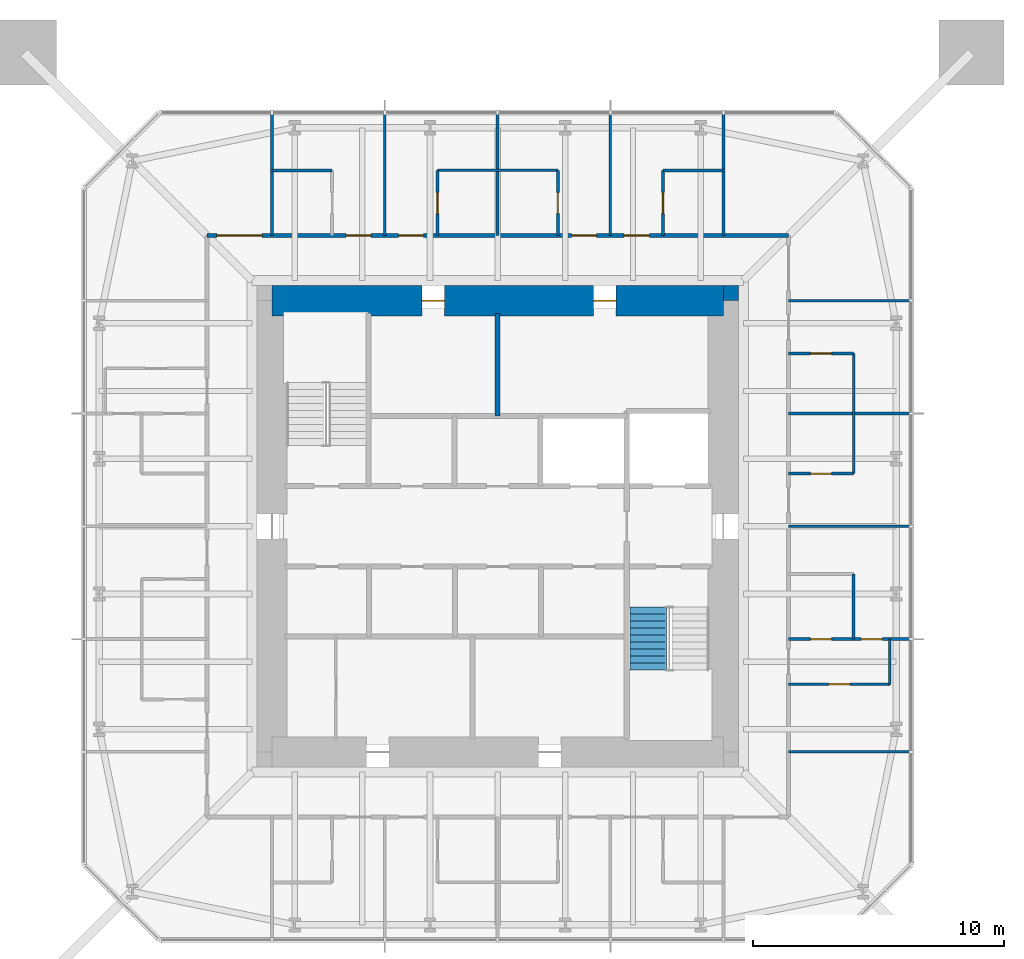
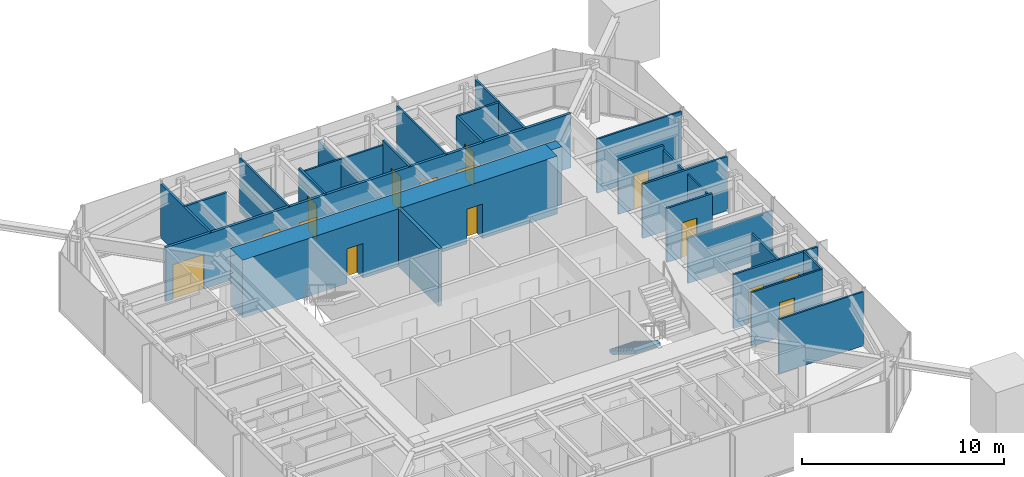
# One storey, part 8 of 10: 26 walls, 15 doors, 1 stair flight, 15 openings, 1 element without a shape of its own.
"""IFC4 building model written with IfcOpenShell, lengths in metres."""

import ifcopenshell
import ifcopenshell.guid

model = None  # the IFC model being written
_history = None  # IfcOwnerHistory: only IFC2X3 demands one
_inside = {}  # id of a spatial element -> (the spatial element, [elements in it])
_under = {}  # id of a project, library or spatial element -> (it, [spatial elements below it])
_declared = {}  # id of a project -> (the project, [libraries it declares])
_typed = {}  # id of a type object -> (the type object, [elements of that type])
_made_of = {}  # id of a material, layer set ... -> (it, [elements and type objects made of it])


def new_model(schema):
    """Start an empty IFC model of exactly this schema.

    Asked for "IFC4X3", IfcOpenShell would pick the latest addendum, in which some entities
    have other attributes; the version numbers below select the first issue.
    IFC2X3 requires an IfcOwnerHistory on every rooted entity: one is made here for all.
    """
    global model, _history
    if schema == "IFC4X3":
        model = ifcopenshell.file(schema_version=(4, 3, 0, 0))
    else:
        model = ifcopenshell.file(schema=schema)
    _inside.clear()
    _under.clear()
    _declared.clear()
    _typed.clear()
    _made_of.clear()
    _history = None
    if model.schema == "IFC2X3":
        org = make("IfcOrganization", Name="unknown")
        user = make(
            "IfcPersonAndOrganization",
            ThePerson=make("IfcPerson", FamilyName="unknown"),
            TheOrganization=org,
        )
        app = make(
            "IfcApplication",
            ApplicationDeveloper=org,
            Version="unknown",
            ApplicationFullName="unknown",
            ApplicationIdentifier="unknown",
        )
        _history = make(
            "IfcOwnerHistory",
            OwningUser=user,
            OwningApplication=app,
            ChangeAction="ADDED",
            CreationDate=0,
        )
    return model


def make(cls, **values):
    """One entity of the class cls with the attributes given. An attribute that is None is left unset."""
    return model.create_entity(
        cls, **{name: value for name, value in values.items() if value is not None}
    )


def rooted(cls, **values):
    """An entity with a GlobalId (a new one), such as an element, a storey or a relation."""
    return make(cls, GlobalId=ifcopenshell.guid.new(), OwnerHistory=_history, **values)


def si_unit(unit_type, name, prefix=None):
    """IfcSIUnit, for example si_unit("LENGTHUNIT", "METRE", prefix="MILLI")."""
    return make("IfcSIUnit", UnitType=unit_type, Prefix=prefix, Name=name)


def assignment(units):
    """IfcUnitAssignment: the units of a project."""
    return None if units is None else make("IfcUnitAssignment", Units=units)


def point(xyz):
    """IfcCartesianPoint."""
    return None if xyz is None else make("IfcCartesianPoint", Coordinates=xyz)


def direction(xyz):
    """IfcDirection."""
    return None if xyz is None else make("IfcDirection", DirectionRatios=xyz)


def frame(location, z_axis=None, x_axis=None):
    """IfcAxis2Placement3D, a coordinate frame: its origin and axes. An axis left out is left unset."""
    return make(
        "IfcAxis2Placement3D",
        Location=point(location),
        Axis=direction(z_axis),
        RefDirection=direction(x_axis),
    )


def frame_2d(location, x_axis=None):
    """IfcAxis2Placement2D, a coordinate frame in the plane: its origin and x axis."""
    return make(
        "IfcAxis2Placement2D", Location=point(location), RefDirection=direction(x_axis)
    )


def origin():
    """The frame at (0, 0, 0) with its axes left unset."""
    return frame((0.0, 0.0, 0.0))


def place(relative_to, where):
    """IfcLocalPlacement: puts the frame where relative to a parent placement (None: the world)."""
    return make(
        "IfcLocalPlacement", PlacementRelTo=relative_to, RelativePlacement=where
    )


def context(
    kind, dimensions, precision=None, world=None, true_north=None, identifier=None
):
    """IfcGeometricRepresentationContext, for example the 3D "Model" context."""
    return make(
        "IfcGeometricRepresentationContext",
        ContextIdentifier=identifier,
        ContextType=kind,
        CoordinateSpaceDimension=dimensions,
        Precision=precision,
        WorldCoordinateSystem=world,
        TrueNorth=true_north,
    )


def subcontext(parent, identifier, kind, view, scale=None):
    """IfcGeometricRepresentationSubContext, for example "Body" below "Model"."""
    return make(
        "IfcGeometricRepresentationSubContext",
        ContextIdentifier=identifier,
        ContextType=kind,
        ParentContext=parent,
        TargetScale=scale,
        TargetView=view,
    )


def project(units=None, contexts=None):
    """IfcProject with its units and contexts."""
    return rooted(
        "IfcProject",
        Name="project",
        RepresentationContexts=contexts,
        UnitsInContext=assignment(units),
    )


def spatial(cls, under=None, at=None, **own):
    """A site, building, storey or space (cls), placed at a placement, below another one or the project."""
    s = rooted(cls, ObjectPlacement=at, **own)
    if under is not None:
        _under.setdefault(under.id(), (under, []))[1].append(s)
    return s


def polyline(points):
    """IfcPolyline through the points."""
    return make("IfcPolyline", Points=[point(p) for p in points])


def profile(cls, at=None, kind="AREA", **sizes):
    """A parametric profile (cls). Its sizes go by their IFC names, for example OverallWidth=200.0."""
    return make(cls, ProfileType=kind, Position=at, **sizes)


def rectangle(**sizes):
    """IfcRectangleProfileDef."""
    return profile("IfcRectangleProfileDef", **sizes)


def outline(outer, holes=None, kind="AREA"):
    """IfcArbitraryClosedProfileDef: a profile drawn as a closed curve; with holes, ...WithVoids."""
    if holes is None:
        return make("IfcArbitraryClosedProfileDef", ProfileType=kind, OuterCurve=outer)
    return make(
        "IfcArbitraryProfileDefWithVoids",
        ProfileType=kind,
        OuterCurve=outer,
        InnerCurves=holes,
    )


def extrude(swept, where, along, depth):
    """IfcExtrudedAreaSolid: the profile swept, set in the frame where, extruded along a direction by depth."""
    return make(
        "IfcExtrudedAreaSolid",
        SweptArea=swept,
        Position=where,
        ExtrudedDirection=direction(along),
        Depth=depth,
    )


def shape(context_of_items, identifier, shape_type, items):
    """IfcShapeRepresentation: the items that make up one representation, for example the "Body"."""
    return make(
        "IfcShapeRepresentation",
        ContextOfItems=context_of_items,
        RepresentationIdentifier=identifier,
        RepresentationType=shape_type,
        Items=items,
    )


def material(Name=None, Category=None):
    """IfcMaterial."""
    return make("IfcMaterial", Name=Name, Category=Category)


def layer(
    of_material, thickness, ventilated=None, Name=None, Category=None, Priority=None
):
    """IfcMaterialLayer: one layer of a wall or slab, of a material (None: an air gap)."""
    return make(
        "IfcMaterialLayer",
        Material=of_material,
        LayerThickness=thickness,
        IsVentilated=ventilated,
        Name=Name,
        Category=Category,
        Priority=Priority,
    )


def layer_set(layers, Name=None):
    """IfcMaterialLayerSet."""
    return make("IfcMaterialLayerSet", MaterialLayers=layers, LayerSetName=Name)


def constituent(of_material, Name=None, Category=None, fraction=None):
    """IfcMaterialConstituent: one of the materials an element consists of."""
    return make(
        "IfcMaterialConstituent",
        Name=Name,
        Material=of_material,
        Fraction=fraction,
        Category=Category,
    )


def constituent_set(constituents=None, Name=None):
    """IfcMaterialConstituentSet."""
    return make(
        "IfcMaterialConstituentSet", Name=Name, MaterialConstituents=constituents
    )


def made_of(thing, what):
    """Note that an element or type object is made of a material, layer set ...; save() writes the relation."""
    if what is not None:
        _made_of.setdefault(what.id(), (what, []))[1].append(thing)
    return thing


def type_object(cls, material=None, **own):
    """A type object (cls), such as IfcWallType, which elements share."""
    return made_of(rooted(cls, **own), material)


def element(
    cls,
    number,
    at=None,
    inside=None,
    cuts=None,
    type_object=None,
    material=None,
    context=None,
    identifier="Body",
    shape_type=None,
    held_by="IfcProductDefinitionShape",
    body=None,
    shapes=None,
    **own,
):
    """One element of the class cls, such as IfcWall. Its Tag is "e" and its number.

    at: its placement. inside: the storey or other place that contains it. cuts: it is an
    opening in that element (IfcRelVoidsElement). A single representation is given by context,
    identifier, shape_type and body (its items); several are given by shapes. held_by: the class
    of the entity that holds the representations. save() writes the other relations.
    """
    e = rooted(cls, Tag="e%d" % number, ObjectPlacement=at, **own)
    if body is not None:
        shapes = [shape(context, identifier, shape_type, body)]
    if shapes is not None:
        e.Representation = make(held_by, Representations=shapes)
    if inside is not None:
        _inside.setdefault(inside.id(), (inside, []))[1].append(e)
    if cuts is not None:
        rooted(
            "IfcRelVoidsElement", RelatingBuildingElement=cuts, RelatedOpeningElement=e
        )
    if type_object is not None:
        _typed.setdefault(type_object.id(), (type_object, []))[1].append(e)
    return made_of(e, material)


def fill(opening, filler):
    """IfcRelFillsElement: the door or window that sits in an opening."""
    return rooted(
        "IfcRelFillsElement",
        RelatingOpeningElement=opening,
        RelatedBuildingElement=filler,
    )


def aggregate(whole, parts):
    """IfcRelAggregates: a whole, such as a stair, and the parts it consists of."""
    return rooted("IfcRelAggregates", RelatingObject=whole, RelatedObjects=parts)


def save(model, path):
    """Write the relations noted so far, then the file.

    IfcRelAggregates (storeys below a building ...), IfcRelContainedInSpatialStructure (elements
    in a storey), IfcRelDefinesByType, IfcRelAssociatesMaterial and IfcRelDeclares: one each for
    every whole, place, type object, material and project.
    """
    for whole, parts in _under.values():
        aggregate(whole, parts)
    for where, things in _inside.values():
        rooted(
            "IfcRelContainedInSpatialStructure",
            RelatedElements=things,
            RelatingStructure=where,
        )
    for kind, things in _typed.values():
        rooted("IfcRelDefinesByType", RelatedObjects=things, RelatingType=kind)
    for what, things in _made_of.values():
        rooted("IfcRelAssociatesMaterial", RelatedObjects=things, RelatingMaterial=what)
    for by, libraries in _declared.values():
        rooted("IfcRelDeclares", RelatingContext=by, RelatedDefinitions=libraries)
    model.write(path)


model = new_model("IFC4")

# Units and contexts
model_context = context("Model", 3, precision=1e-05, world=origin(), true_north=direction((0.0, 1.0)))
body_context = subcontext(model_context, "Body", "Model", "MODEL_VIEW")
ifc_project = project(units=[si_unit("LENGTHUNIT", "METRE"), si_unit("AREAUNIT", "SQUARE_METRE"), si_unit("VOLUMEUNIT", "CUBIC_METRE"), si_unit("PLANEANGLEUNIT", "RADIAN"), si_unit("MASSUNIT", "GRAM", prefix="KILO")], contexts=[model_context])

# Site, building, storey
site_placement = place(None, origin())
site = spatial("IfcSite", under=ifc_project, at=site_placement, CompositionType="ELEMENT")
building_placement = place(site_placement, origin())
building = spatial("IfcBuilding", under=site, at=building_placement, Name="Iwan Alto Co-Living Towers", CompositionType="ELEMENT")
storey_placement = place(building_placement, frame((0.0, 0.0, 225.5)))
storey = spatial("IfcBuildingStorey", under=building, at=storey_placement, Name="L61", CompositionType="ELEMENT", Elevation=225.5)

# Wall, openings, doors
ifc_material_1 = material(Name="Gypsum board")
ifc_layer_1 = layer(ifc_material_1, 0.02490234375, Name="Board", Category="Finish")
ifc_material_2 = material(Name="Steel ASTM A1003 ST33H cold-formed studs", Category="steel")
ifc_layer_2 = layer(ifc_material_2, 0.10009765625, Name="Studs", Category="Framing")
ifc_layer_3 = layer(ifc_material_1, 0.02490234375, Name="Board", Category="Finish")
ifc_layer_set_1 = layer_set([ifc_layer_1, ifc_layer_2, ifc_layer_3], Name="CORRIDOR WALL 150")
wall_type_1 = type_object("IfcWallType", Name="CORRIDOR WALL 150", PredefinedType="PARTITIONING", material=ifc_layer_set_1)
wall_1_placement = place(storey_placement, frame((-11.60009765625, 11.60009765625, 0.0), z_axis=(0.0, 0.0, 1.0), x_axis=(1.0, 0.0, 0.0)))
wall_1 = element("IfcWall", 1, at=wall_1_placement, inside=storey, type_object=wall_type_1, Name="Partition L61", PredefinedType="PARTITIONING", context=body_context, shape_type="SweptSolid", body=[
    extrude(rectangle(XDim=23.2001953125, YDim=0.14990234375, at=frame_2d((11.60009765625, 0.0))), origin(), (0.0, 0.0, 1.0), 3.27001953125),
])
opening_1_placement = place(wall_1_placement, frame((16.64990234375, 0.0, 0.0)))
opening_1 = element("IfcOpeningElement", 2, at=opening_1_placement, cuts=wall_1, Name="Opening D3", PredefinedType="OPENING", context=body_context, shape_type="SweptSolid", body=[
    extrude(rectangle(XDim=1.0, YDim=2.10009765625, at=frame_2d((0.5, 1.050048828125))), frame((0.0, 0.0849609375, 0.0), z_axis=(0.0, -1.0, 0.0), x_axis=(1.0, 0.0, 0.0)), (0.0, 0.0, 1.0), 0.169921875),
])
opening_2_placement = place(wall_1_placement, frame((14.550048828125, 0.0, 0.0)))
opening_2 = element("IfcOpeningElement", 3, at=opening_2_placement, cuts=wall_1, Name="Opening D3", PredefinedType="OPENING", context=body_context, shape_type="SweptSolid", body=[
    extrude(rectangle(XDim=1.0, YDim=2.10009765625, at=frame_2d((0.5, 1.050048828125))), frame((0.0, 0.0849609375, 0.0), z_axis=(0.0, -1.0, 0.0), x_axis=(1.0, 0.0, 0.0)), (0.0, 0.0, 1.0), 0.169921875),
])
opening_3_placement = place(wall_1_placement, frame((7.64990234375, 0.0, 0.0)))
opening_3 = element("IfcOpeningElement", 4, at=opening_3_placement, cuts=wall_1, Name="Opening D3", PredefinedType="OPENING", context=body_context, shape_type="SweptSolid", body=[
    extrude(rectangle(XDim=1.0, YDim=2.10009765625, at=frame_2d((0.5, 1.050048828125))), frame((0.0, 0.0849609375, 0.0), z_axis=(0.0, -1.0, 0.0), x_axis=(1.0, 0.0, 0.0)), (0.0, 0.0, 1.0), 0.169921875),
])
opening_4_placement = place(wall_1_placement, frame((5.550048828125, 0.0, 0.0)))
opening_4 = element("IfcOpeningElement", 5, at=opening_4_placement, cuts=wall_1, Name="Opening D3", PredefinedType="OPENING", context=body_context, shape_type="SweptSolid", body=[
    extrude(rectangle(XDim=1.0, YDim=2.10009765625, at=frame_2d((0.5, 1.050048828125))), frame((0.0, 0.0849609375, 0.0), z_axis=(0.0, -1.0, 0.0), x_axis=(1.0, 0.0, 0.0)), (0.0, 0.0, 1.0), 0.169921875),
])
opening_5_placement = place(wall_1_placement, frame((0.39990234375, 0.0, 0.0)))
opening_5 = element("IfcOpeningElement", 6, at=opening_5_placement, cuts=wall_1, Name="Opening D9", PredefinedType="OPENING", context=body_context, shape_type="SweptSolid", body=[
    extrude(rectangle(XDim=1.800048828125, YDim=2.10009765625, at=frame_2d((0.89990234375, 1.050048828125))), frame((0.0, 0.0849609375, 0.0), z_axis=(0.0, -1.0, 0.0), x_axis=(1.0, 0.0, 0.0)), (0.0, 0.0, 1.0), 0.169921875),
])
ifc_material_3 = material(Name="Steel frame with timber leaf", Category="steel")
door_type_1 = type_object("IfcDoorType", Name="FLAT ENTRANCE DOOR FD30S 1000X2100", OperationType="SINGLE_SWING_LEFT", PredefinedType="DOOR", material=ifc_material_3)
door_1_placement = place(opening_1_placement, origin())
door_1 = element("IfcDoor", 7, at=door_1_placement, inside=storey, type_object=door_type_1, Name="Studio door L61", OperationType="SINGLE_SWING_LEFT", OverallHeight=2.10009765625, OverallWidth=1.0, PredefinedType="DOOR", context=body_context, shape_type="SweptSolid", body=[
    extrude(rectangle(XDim=1.0, YDim=2.10009765625, at=frame_2d((0.5, 1.050048828125))), frame((0.0, 0.02490234375, 0.0), z_axis=(0.0, -1.0, 0.0), x_axis=(1.0, 0.0, 0.0)), (0.0, 0.0, 1.0), 0.050048828125),
])
fill(opening_1, door_1)
door_2_placement = place(opening_2_placement, origin())
door_2 = element("IfcDoor", 8, at=door_2_placement, inside=storey, type_object=door_type_1, Name="Studio door L61", OperationType="SINGLE_SWING_LEFT", OverallHeight=2.10009765625, OverallWidth=1.0, PredefinedType="DOOR", context=body_context, shape_type="SweptSolid", body=[
    extrude(rectangle(XDim=1.0, YDim=2.10009765625, at=frame_2d((0.5, 1.050048828125))), frame((0.0, 0.02490234375, 0.0), z_axis=(0.0, -1.0, 0.0), x_axis=(1.0, 0.0, 0.0)), (0.0, 0.0, 1.0), 0.050048828125),
])
fill(opening_2, door_2)
door_3_placement = place(opening_3_placement, origin())
door_3 = element("IfcDoor", 9, at=door_3_placement, inside=storey, type_object=door_type_1, Name="Studio door L61", OperationType="SINGLE_SWING_LEFT", OverallHeight=2.10009765625, OverallWidth=1.0, PredefinedType="DOOR", context=body_context, shape_type="SweptSolid", body=[
    extrude(rectangle(XDim=1.0, YDim=2.10009765625, at=frame_2d((0.5, 1.050048828125))), frame((0.0, 0.02490234375, 0.0), z_axis=(0.0, -1.0, 0.0), x_axis=(1.0, 0.0, 0.0)), (0.0, 0.0, 1.0), 0.050048828125),
])
fill(opening_3, door_3)
door_4_placement = place(opening_4_placement, origin())
door_4 = element("IfcDoor", 10, at=door_4_placement, inside=storey, type_object=door_type_1, Name="Studio door L61", OperationType="SINGLE_SWING_LEFT", OverallHeight=2.10009765625, OverallWidth=1.0, PredefinedType="DOOR", context=body_context, shape_type="SweptSolid", body=[
    extrude(rectangle(XDim=1.0, YDim=2.10009765625, at=frame_2d((0.5, 1.050048828125))), frame((0.0, 0.02490234375, 0.0), z_axis=(0.0, -1.0, 0.0), x_axis=(1.0, 0.0, 0.0)), (0.0, 0.0, 1.0), 0.050048828125),
])
fill(opening_4, door_4)
ifc_material_4 = material(Name="Steel frame with timber leaf", Category="steel")
door_type_2 = type_object("IfcDoorType", Name="LOUNGE DOOR FD30S 1800X2100", OperationType="DOUBLE_DOOR_SINGLE_SWING", PredefinedType="DOOR", material=ifc_material_4)
door_5_placement = place(opening_5_placement, origin())
door_5 = element("IfcDoor", 11, at=door_5_placement, inside=storey, type_object=door_type_2, Name="Courtyard lounge door L61", OperationType="DOUBLE_DOOR_SINGLE_SWING", OverallHeight=2.10009765625, OverallWidth=1.800048828125, PredefinedType="DOOR", context=body_context, shape_type="SweptSolid", body=[
    extrude(rectangle(XDim=1.800048828125, YDim=2.10009765625, at=frame_2d((0.89990234375, 1.050048828125))), frame((0.0, 0.02490234375, 0.0), z_axis=(0.0, -1.0, 0.0), x_axis=(1.0, 0.0, 0.0)), (0.0, 0.0, 1.0), 0.050048828125),
])
fill(opening_5, door_5)

# Wall
ifc_layer_4 = layer(ifc_material_1, 0.012451171875, Name="Board", Category="Finish")
ifc_layer_5 = layer(ifc_material_2, 0.074951171875, Name="Studs", Category="Framing")
ifc_layer_6 = layer(ifc_material_1, 0.012451171875, Name="Board", Category="Finish")
ifc_layer_set_2 = layer_set([ifc_layer_4, ifc_layer_5, ifc_layer_6], Name="PARTITION 100")
wall_type_2 = type_object("IfcWallType", Name="PARTITION 100", PredefinedType="PARTITIONING", material=ifc_layer_set_2)
wall_2_placement = place(storey_placement, frame((11.60009765625, -9.0, 0.0), z_axis=(0.0, 0.0, 1.0), x_axis=(1.0, 0.0, 0.0)))
element("IfcWall", 12, at=wall_2_placement, inside=storey, type_object=wall_type_2, Name="Partition L61", PredefinedType="PARTITIONING", context=body_context, shape_type="SweptSolid", body=[
    extrude(rectangle(XDim=4.83984375, YDim=0.10009765625, at=frame_2d((2.419921875, 0.0))), origin(), (0.0, 0.0, 1.0), 3.27001953125),
])

# Wall, opening, door
wall_3_placement = place(storey_placement, frame((11.60009765625, -6.300048828125, 0.0), z_axis=(0.0, 0.0, 1.0), x_axis=(1.0, 0.0, 0.0)))
wall_3 = element("IfcWall", 13, at=wall_3_placement, inside=storey, type_object=wall_type_2, Name="Partition L61", PredefinedType="PARTITIONING", context=body_context, shape_type="SweptSolid", body=[
    extrude(rectangle(XDim=4.0498046875, YDim=0.10009765625, at=frame_2d((2.02490234375, 0.0))), origin(), (0.0, 0.0, 1.0), 3.27001953125),
])
opening_6_placement = place(wall_3_placement, frame((1.60009765625, 0.0, 0.0)))
opening_6 = element("IfcOpeningElement", 14, at=opening_6_placement, cuts=wall_3, Name="Opening D2", PredefinedType="OPENING", context=body_context, shape_type="SweptSolid", body=[
    extrude(rectangle(XDim=0.85009765625, YDim=2.10009765625, at=frame_2d((0.425048828125, 1.050048828125))), frame((0.0, 0.06005859375, 0.0), z_axis=(0.0, -1.0, 0.0), x_axis=(1.0, 0.0, 0.0)), (0.0, 0.0, 1.0), 0.1201171875),
])
ifc_material_5 = material(Name="Timber leaf in steel frame", Category="steel")
door_type_3 = type_object("IfcDoorType", Name="ROOM DOOR 850X2100", OperationType="SINGLE_SWING_LEFT", PredefinedType="DOOR", material=ifc_material_5)
door_6_placement = place(opening_6_placement, frame((0.85009765625, 0.0, 0.0), z_axis=(0.0, 0.0, 1.0), x_axis=(-1.0, 0.0, 0.0)))
door_6 = element("IfcDoor", 15, at=door_6_placement, inside=storey, type_object=door_type_3, Name="Apartment foyer door L61", OperationType="SINGLE_SWING_RIGHT", OverallHeight=2.10009765625, OverallWidth=0.85009765625, PredefinedType="DOOR", context=body_context, shape_type="SweptSolid", body=[
    extrude(rectangle(XDim=0.85009765625, YDim=2.10009765625, at=frame_2d((0.425048828125, 1.050048828125))), frame((0.0, 0.02490234375, 0.0), z_axis=(0.0, -1.0, 0.0), x_axis=(1.0, 0.0, 0.0)), (0.0, 0.0, 1.0), 0.050048828125),
])
fill(opening_6, door_6)

# Walls
wall_4_placement = place(storey_placement, frame((11.60009765625, 0.0, 0.0), z_axis=(0.0, 0.0, 1.0), x_axis=(1.0, 0.0, 0.0)))
element("IfcWall", 16, at=wall_4_placement, inside=storey, type_object=wall_type_2, Name="Partition L61", PredefinedType="PARTITIONING", context=body_context, shape_type="SweptSolid", body=[
    extrude(rectangle(XDim=4.83984375, YDim=0.10009765625, at=frame_2d((2.419921875, 0.0))), origin(), (0.0, 0.0, 1.0), 2.736572265625),
])
wall_5_placement = place(storey_placement, frame((11.60009765625, 9.0, 0.0), z_axis=(0.0, 0.0, 1.0), x_axis=(1.0, 0.0, 0.0)))
element("IfcWall", 17, at=wall_5_placement, inside=storey, type_object=wall_type_2, Name="Partition L61", PredefinedType="PARTITIONING", context=body_context, shape_type="SweptSolid", body=[
    extrude(rectangle(XDim=4.83984375, YDim=0.10009765625, at=frame_2d((2.419921875, 0.0))), origin(), (0.0, 0.0, 1.0), 3.27001953125),
])
wall_6_placement = place(storey_placement, frame((-2.39990234375, 14.199951171875, 0.0), z_axis=(0.0, 0.0, 1.0), x_axis=(1.0, 0.0, 0.0)))
element("IfcWall", 18, at=wall_6_placement, inside=storey, type_object=wall_type_2, Name="Partition L61", PredefinedType="PARTITIONING", context=body_context, shape_type="SweptSolid", body=[
    extrude(rectangle(XDim=4.7998046875, YDim=0.10009765625, at=frame_2d((2.39990234375, 0.0))), origin(), (0.0, 0.0, 1.0), 3.0),
])
wall_7_placement = place(storey_placement, frame((15.64990234375, -6.300048828125, 0.0), z_axis=(0.0, 0.0, 1.0), x_axis=(0.0, 1.0, 0.0)))
element("IfcWall", 19, at=wall_7_placement, inside=storey, type_object=wall_type_2, Name="Partition L61", PredefinedType="PARTITIONING", context=body_context, shape_type="SweptSolid", body=[
    extrude(rectangle(XDim=1.800048828125, YDim=0.10009765625, at=frame_2d((0.89990234375, 0.0))), origin(), (0.0, 0.0, 1.0), 3.27001953125),
])
wall_8_placement = place(storey_placement, frame((14.199951171875, 2.10009765625, 0.0), z_axis=(0.0, 0.0, 1.0), x_axis=(0.0, 1.0, 0.0)))
element("IfcWall", 20, at=wall_8_placement, inside=storey, type_object=wall_type_2, Name="Partition L61", PredefinedType="PARTITIONING", context=body_context, shape_type="SweptSolid", body=[
    extrude(rectangle(XDim=4.7998046875, YDim=0.10009765625, at=frame_2d((2.39990234375, 0.0))), origin(), (0.0, 0.0, 1.0), 3.0),
])
for number, where, z_axis, x_axis, name in (
    (21, (4.5, 11.60009765625, 0.0), (0.0, 0.0, 1.0), (0.0, 1.0, 0.0), "Partition L61"),
    (22, (-4.5, 11.60009765625, 0.0), (0.0, 0.0, 1.0), (0.0, 1.0, 0.0), "Partition L61"),
):
    element("IfcWall", number, at=place(storey_placement, frame(where, z_axis=z_axis, x_axis=x_axis)), inside=storey, type_object=wall_type_2, Name=name, PredefinedType="PARTITIONING", context=body_context, shape_type="SweptSolid", body=[
        extrude(rectangle(XDim=4.83984375, YDim=0.10009765625, at=frame_2d((2.419921875, 0.0))), origin(), (0.0, 0.0, 1.0), 3.27001953125),
    ])
ifc_material_6 = material(Name="Concrete f'c 70 MPa", Category="concrete")
ifc_layer_7 = layer(ifc_material_6, 0.199951171875)
ifc_layer_set_3 = layer_set([ifc_layer_7], Name="SHAFT WALL 200")
wall_type_3 = type_object("IfcWallType", Name="SHAFT WALL 200", PredefinedType="SOLIDWALL", material=ifc_layer_set_3)
wall_9_placement = place(storey_placement, frame((0.0, 4.39990234375, 0.0), z_axis=(0.0, 0.0, 1.0), x_axis=(0.0, 1.0, 0.0)))
element("IfcWall", 23, at=wall_9_placement, inside=storey, type_object=wall_type_3, Name="Shaft wall L61", PredefinedType="SOLIDWALL", context=body_context, shape_type="SweptSolid", body=[
    extrude(rectangle(XDim=4.090087890625, YDim=0.199951171875, at=frame_2d((2.044921875, 0.0))), origin(), (0.0, 0.0, 1.0), 3.5),
])
ifc_material_7 = material(Name="Concrete f'c 70 MPa", Category="concrete")
ifc_layer_8 = layer(ifc_material_7, 0.60009765625)
ifc_layer_set_4 = layer_set([ifc_layer_8], Name="T1 CORE CORNER FILL 600")
wall_type_4 = type_object("IfcWallType", Name="T1 CORE CORNER FILL 600", PredefinedType="SOLIDWALL", material=ifc_layer_set_4)
wall_10_placement = place(storey_placement, frame((9.0, 9.300048828125, 0.0), z_axis=(0.0, 0.0, 1.0), x_axis=(1.0, 0.0, 0.0)))
element("IfcWall", 24, at=wall_10_placement, inside=storey, type_object=wall_type_4, Name="T1 core corner NE L61", PredefinedType="SOLIDWALL", context=body_context, shape_type="SweptSolid", body=[
    extrude(rectangle(XDim=0.60009765625, YDim=0.60009765625, at=frame_2d((0.300048828125, 0.0))), origin(), (0.0, 0.0, 1.0), 3.5),
])

# Wall, openings, doors
ifc_material_8 = material(Name="Concrete f'c 70 MPa", Category="concrete")
ifc_layer_9 = layer(ifc_material_8, 1.199951171875)
ifc_layer_set_5 = layer_set([ifc_layer_9], Name="T1 CORE WALL 1200")
wall_type_5 = type_object("IfcWallType", Name="T1 CORE WALL 1200", PredefinedType="SHEAR", material=ifc_layer_set_5)
wall_11_placement = place(storey_placement, frame((9.0, 9.0, 0.0), z_axis=(0.0, 0.0, 1.0), x_axis=(-1.0, 0.0, 0.0)))
wall_11 = element("IfcWall", 25, at=wall_11_placement, inside=storey, type_object=wall_type_5, Name="T1 core wall N L61", PredefinedType="SHEAR", context=body_context, shape_type="SweptSolid", body=[
    extrude(rectangle(XDim=18.0, YDim=1.199951171875, at=frame_2d((9.0, 0.0))), origin(), (0.0, 0.0, 1.0), 3.5),
])
opening_7_placement = place(wall_11_placement, frame((11.125, 0.0, 0.0)))
opening_7 = element("IfcOpeningElement", 26, at=opening_7_placement, cuts=wall_11, Name="Opening D8", PredefinedType="OPENING", context=body_context, shape_type="SweptSolid", body=[
    extrude(rectangle(XDim=0.89990234375, YDim=2.10009765625, at=frame_2d((0.449951171875, 1.050048828125))), frame((0.0, 0.60986328125, 0.0), z_axis=(0.0, -1.0, 0.0), x_axis=(1.0, 0.0, 0.0)), (0.0, 0.0, 1.0), 1.219970703125),
])
opening_8_placement = place(wall_11_placement, frame((4.27490234375, 0.0, 0.0)))
opening_8 = element("IfcOpeningElement", 27, at=opening_8_placement, cuts=wall_11, Name="Opening D8", PredefinedType="OPENING", context=body_context, shape_type="SweptSolid", body=[
    extrude(rectangle(XDim=0.89990234375, YDim=2.10009765625, at=frame_2d((0.449951171875, 1.050048828125))), frame((0.0, 0.60986328125, 0.0), z_axis=(0.0, -1.0, 0.0), x_axis=(1.0, 0.0, 0.0)), (0.0, 0.0, 1.0), 1.219970703125),
])
ifc_material_9 = material(Name="Steel frame with timber leaf", Category="steel")
door_type_4 = type_object("IfcDoorType", Name="RISER DOOR FD120 900X2100", OperationType="SINGLE_SWING_LEFT", PredefinedType="DOOR", material=ifc_material_9)
door_7_placement = place(opening_7_placement, origin())
door_7 = element("IfcDoor", 28, at=door_7_placement, inside=storey, type_object=door_type_4, Name="Electrical riser core door L61", OperationType="SINGLE_SWING_RIGHT", OverallHeight=2.10009765625, OverallWidth=0.89990234375, PredefinedType="DOOR", context=body_context, shape_type="SweptSolid", body=[
    extrude(rectangle(XDim=0.89990234375, YDim=2.10009765625, at=frame_2d((0.449951171875, 1.050048828125))), frame((0.0, 0.02490234375, 0.0), z_axis=(0.0, -1.0, 0.0), x_axis=(1.0, 0.0, 0.0)), (0.0, 0.0, 1.0), 0.050048828125),
])
fill(opening_7, door_7)
door_8_placement = place(opening_8_placement, origin())
door_8 = element("IfcDoor", 29, at=door_8_placement, inside=storey, type_object=door_type_4, Name="Water and drainage riser core door L61", OperationType="SINGLE_SWING_RIGHT", OverallHeight=2.10009765625, OverallWidth=0.89990234375, PredefinedType="DOOR", context=body_context, shape_type="SweptSolid", body=[
    extrude(rectangle(XDim=0.89990234375, YDim=2.10009765625, at=frame_2d((0.449951171875, 1.050048828125))), frame((0.0, 0.02490234375, 0.0), z_axis=(0.0, -1.0, 0.0), x_axis=(1.0, 0.0, 0.0)), (0.0, 0.0, 1.0), 0.050048828125),
])
fill(opening_8, door_8)

ifc_material_10 = material(Name="Cement board")
ifc_layer_10 = layer(ifc_material_10, 0.012451171875, Name="Board", Category="Finish")
ifc_layer_11 = layer(ifc_material_2, 0.094970703125, Name="Studs", Category="Framing")
ifc_layer_12 = layer(ifc_material_10, 0.012451171875, Name="Board", Category="Finish")
ifc_layer_set_6 = layer_set([ifc_layer_10, ifc_layer_11, ifc_layer_12], Name="WET AREA PARTITION 120")
wall_type_6 = type_object("IfcWallType", Name="WET AREA PARTITION 120", PredefinedType="PARTITIONING", material=ifc_layer_set_6)
wall_12_placement = place(storey_placement, frame((11.60009765625, -4.5, 0.0), z_axis=(0.0, 0.0, 1.0), x_axis=(1.0, 0.0, 0.0)))
wall_12 = element("IfcWall", 30, at=wall_12_placement, inside=storey, type_object=wall_type_6, Name="Partition L61", PredefinedType="PARTITIONING", context=body_context, shape_type="SweptSolid", body=[
    extrude(rectangle(XDim=4.83984375, YDim=0.1201171875, at=frame_2d((2.419921875, 0.0))), origin(), (0.0, 0.0, 1.0), 3.27001953125),
])
opening_9_placement = place(wall_12_placement, frame((2.89990234375, 0.0, 0.0)))
opening_9 = element("IfcOpeningElement", 31, at=opening_9_placement, cuts=wall_12, Name="Opening D2", PredefinedType="OPENING", context=body_context, shape_type="SweptSolid", body=[
    extrude(rectangle(XDim=0.85009765625, YDim=2.10009765625, at=frame_2d((0.425048828125, 1.050048828125))), frame((0.0, 0.070068359375, 0.0), z_axis=(0.0, -1.0, 0.0), x_axis=(1.0, 0.0, 0.0)), (0.0, 0.0, 1.0), 0.14013671875),
])
opening_10_placement = place(wall_12_placement, frame((0.875, 0.0, 0.0)))
opening_10 = element("IfcOpeningElement", 32, at=opening_10_placement, cuts=wall_12, Name="Opening D2", PredefinedType="OPENING", context=body_context, shape_type="SweptSolid", body=[
    extrude(rectangle(XDim=0.85009765625, YDim=2.10009765625, at=frame_2d((0.425048828125, 1.050048828125))), frame((0.0, 0.070068359375, 0.0), z_axis=(0.0, -1.0, 0.0), x_axis=(1.0, 0.0, 0.0)), (0.0, 0.0, 1.0), 0.14013671875),
])
door_9_placement = place(opening_9_placement, origin())
door_9 = element("IfcDoor", 33, at=door_9_placement, inside=storey, type_object=door_type_3, Name="Bedroom door L61", OperationType="SINGLE_SWING_LEFT", OverallHeight=2.10009765625, OverallWidth=0.85009765625, PredefinedType="DOOR", context=body_context, shape_type="SweptSolid", body=[
    extrude(rectangle(XDim=0.85009765625, YDim=2.10009765625, at=frame_2d((0.425048828125, 1.050048828125))), frame((0.0, 0.02490234375, 0.0), z_axis=(0.0, -1.0, 0.0), x_axis=(1.0, 0.0, 0.0)), (0.0, 0.0, 1.0), 0.050048828125),
])
fill(opening_9, door_9)
door_10_placement = place(opening_10_placement, origin())
door_10 = element("IfcDoor", 34, at=door_10_placement, inside=storey, type_object=door_type_3, Name="Accessible bathroom door L61", OperationType="SINGLE_SWING_LEFT", OverallHeight=2.10009765625, OverallWidth=0.85009765625, PredefinedType="DOOR", context=body_context, shape_type="SweptSolid", body=[
    extrude(rectangle(XDim=0.85009765625, YDim=2.10009765625, at=frame_2d((0.425048828125, 1.050048828125))), frame((0.0, 0.02490234375, 0.0), z_axis=(0.0, -1.0, 0.0), x_axis=(1.0, 0.0, 0.0)), (0.0, 0.0, 1.0), 0.050048828125),
])
fill(opening_10, door_10)

# Wall, opening, door
wall_13_placement = place(storey_placement, frame((11.60009765625, 2.10009765625, 0.0), z_axis=(0.0, 0.0, 1.0), x_axis=(1.0, 0.0, 0.0)))
wall_13 = element("IfcWall", 35, at=wall_13_placement, inside=storey, type_object=wall_type_6, Name="Partition L61", PredefinedType="PARTITIONING", context=body_context, shape_type="SweptSolid", body=[
    extrude(rectangle(XDim=2.599853515625, YDim=0.1201171875, at=frame_2d((1.2998046875, 0.0))), origin(), (0.0, 0.0, 1.0), 3.27001953125),
])
opening_11_placement = place(wall_13_placement, frame((0.875, 0.0, 0.0)))
opening_11 = element("IfcOpeningElement", 36, at=opening_11_placement, cuts=wall_13, Name="Opening D2", PredefinedType="OPENING", context=body_context, shape_type="SweptSolid", body=[
    extrude(rectangle(XDim=0.85009765625, YDim=2.10009765625, at=frame_2d((0.425048828125, 1.050048828125))), frame((0.0, 0.070068359375, 0.0), z_axis=(0.0, -1.0, 0.0), x_axis=(1.0, 0.0, 0.0)), (0.0, 0.0, 1.0), 0.14013671875),
])
door_11_placement = place(opening_11_placement, frame((0.85009765625, 0.0, 0.0), z_axis=(0.0, 0.0, 1.0), x_axis=(-1.0, 0.0, 0.0)))
door_11 = element("IfcDoor", 37, at=door_11_placement, inside=storey, type_object=door_type_3, Name="En-suite shower room door L61", OperationType="SINGLE_SWING_RIGHT", OverallHeight=2.10009765625, OverallWidth=0.85009765625, PredefinedType="DOOR", context=body_context, shape_type="SweptSolid", body=[
    extrude(rectangle(XDim=0.85009765625, YDim=2.10009765625, at=frame_2d((0.425048828125, 1.050048828125))), frame((0.0, 0.02490234375, 0.0), z_axis=(0.0, -1.0, 0.0), x_axis=(1.0, 0.0, 0.0)), (0.0, 0.0, 1.0), 0.050048828125),
])
fill(opening_11, door_11)

# Wall
wall_14_placement = place(storey_placement, frame((11.60009765625, 4.5, 0.0), z_axis=(0.0, 0.0, 1.0), x_axis=(1.0, 0.0, 0.0)))
element("IfcWall", 38, at=wall_14_placement, inside=storey, type_object=wall_type_6, Name="Partition L61", PredefinedType="PARTITIONING", context=body_context, shape_type="SweptSolid", body=[
    extrude(rectangle(XDim=4.83984375, YDim=0.1201171875, at=frame_2d((2.419921875, 0.0))), origin(), (0.0, 0.0, 1.0), 3.27001953125),
])

# Wall, opening, door
wall_15_placement = place(storey_placement, frame((11.60009765625, 6.89990234375, 0.0), z_axis=(0.0, 0.0, 1.0), x_axis=(1.0, 0.0, 0.0)))
wall_15 = element("IfcWall", 39, at=wall_15_placement, inside=storey, type_object=wall_type_6, Name="Partition L61", PredefinedType="PARTITIONING", context=body_context, shape_type="SweptSolid", body=[
    extrude(rectangle(XDim=2.599853515625, YDim=0.1201171875, at=frame_2d((1.2998046875, 0.0))), origin(), (0.0, 0.0, 1.0), 3.27001953125),
])
opening_12_placement = place(wall_15_placement, frame((0.875, 0.0, 0.0)))
opening_12 = element("IfcOpeningElement", 40, at=opening_12_placement, cuts=wall_15, Name="Opening D2", PredefinedType="OPENING", context=body_context, shape_type="SweptSolid", body=[
    extrude(rectangle(XDim=0.85009765625, YDim=2.10009765625, at=frame_2d((0.425048828125, 1.050048828125))), frame((0.0, 0.070068359375, 0.0), z_axis=(0.0, -1.0, 0.0), x_axis=(1.0, 0.0, 0.0)), (0.0, 0.0, 1.0), 0.14013671875),
])
door_12_placement = place(opening_12_placement, origin())
door_12 = element("IfcDoor", 41, at=door_12_placement, inside=storey, type_object=door_type_3, Name="En-suite shower room door L61", OperationType="SINGLE_SWING_LEFT", OverallHeight=2.10009765625, OverallWidth=0.85009765625, PredefinedType="DOOR", context=body_context, shape_type="SweptSolid", body=[
    extrude(rectangle(XDim=0.85009765625, YDim=2.10009765625, at=frame_2d((0.425048828125, 1.050048828125))), frame((0.0, 0.02490234375, 0.0), z_axis=(0.0, -1.0, 0.0), x_axis=(1.0, 0.0, 0.0)), (0.0, 0.0, 1.0), 0.050048828125),
])
fill(opening_12, door_12)

# Walls
for number, where, z_axis, x_axis, name in (
    (42, (-9.0, 14.199951171875, 0.0), (0.0, 0.0, 1.0), (1.0, 0.0, 0.0), "Partition L61"),
    (43, (6.60009765625, 14.199951171875, 0.0), (0.0, 0.0, 1.0), (1.0, 0.0, 0.0), "Partition L61"),
):
    element("IfcWall", number, at=place(storey_placement, frame(where, z_axis=z_axis, x_axis=x_axis)), inside=storey, type_object=wall_type_6, Name=name, PredefinedType="PARTITIONING", context=body_context, shape_type="SweptSolid", body=[
        extrude(rectangle(XDim=2.39990234375, YDim=0.1201171875, at=frame_2d((1.199951171875, 0.0))), origin(), (0.0, 0.0, 1.0), 3.27001953125),
    ])
wall_16_placement = place(storey_placement, frame((14.199951171875, -4.5, 0.0), z_axis=(0.0, 0.0, 1.0), x_axis=(0.0, 1.0, 0.0)))
element("IfcWall", 44, at=wall_16_placement, inside=storey, type_object=wall_type_6, Name="Partition L61", PredefinedType="PARTITIONING", context=body_context, shape_type="SweptSolid", body=[
    extrude(rectangle(XDim=2.60009765625, YDim=0.1201171875, at=frame_2d((1.300048828125, 0.0))), origin(), (0.0, 0.0, 1.0), 3.27001953125),
])
wall_17_placement = place(storey_placement, frame((9.0, 11.60009765625, 0.0), z_axis=(0.0, 0.0, 1.0), x_axis=(0.0, 1.0, 0.0)))
element("IfcWall", 45, at=wall_17_placement, inside=storey, type_object=wall_type_6, Name="Partition L61", PredefinedType="PARTITIONING", context=body_context, shape_type="SweptSolid", body=[
    extrude(rectangle(XDim=4.83984375, YDim=0.1201171875, at=frame_2d((2.419921875, 0.0))), origin(), (0.0, 0.0, 1.0), 3.27001953125),
])

# Wall, opening, door
wall_18_placement = place(storey_placement, frame((6.60009765625, 11.60009765625, 0.0), z_axis=(0.0, 0.0, 1.0), x_axis=(0.0, 1.0, 0.0)))
wall_18 = element("IfcWall", 46, at=wall_18_placement, inside=storey, type_object=wall_type_6, Name="Partition L61", PredefinedType="PARTITIONING", context=body_context, shape_type="SweptSolid", body=[
    extrude(rectangle(XDim=2.599853515625, YDim=0.1201171875, at=frame_2d((1.2998046875, 0.0))), origin(), (0.0, 0.0, 1.0), 3.27001953125),
])
opening_13_placement = place(wall_18_placement, frame((0.875, 0.0, 0.0)))
opening_13 = element("IfcOpeningElement", 47, at=opening_13_placement, cuts=wall_18, Name="Opening D2", PredefinedType="OPENING", context=body_context, shape_type="SweptSolid", body=[
    extrude(rectangle(XDim=0.85009765625, YDim=2.10009765625, at=frame_2d((0.425048828125, 1.050048828125))), frame((0.0, 0.070068359375, 0.0), z_axis=(0.0, -1.0, 0.0), x_axis=(1.0, 0.0, 0.0)), (0.0, 0.0, 1.0), 0.14013671875),
])
door_13_placement = place(opening_13_placement, origin())
door_13 = element("IfcDoor", 48, at=door_13_placement, inside=storey, type_object=door_type_3, Name="En-suite shower room door L61", OperationType="SINGLE_SWING_LEFT", OverallHeight=2.10009765625, OverallWidth=0.85009765625, PredefinedType="DOOR", context=body_context, shape_type="SweptSolid", body=[
    extrude(rectangle(XDim=0.85009765625, YDim=2.10009765625, at=frame_2d((0.425048828125, 1.050048828125))), frame((0.0, 0.02490234375, 0.0), z_axis=(0.0, -1.0, 0.0), x_axis=(1.0, 0.0, 0.0)), (0.0, 0.0, 1.0), 0.050048828125),
])
fill(opening_13, door_13)

wall_19_placement = place(storey_placement, frame((2.39990234375, 11.60009765625, 0.0), z_axis=(0.0, 0.0, 1.0), x_axis=(0.0, 1.0, 0.0)))
wall_19 = element("IfcWall", 49, at=wall_19_placement, inside=storey, type_object=wall_type_6, Name="Partition L61", PredefinedType="PARTITIONING", context=body_context, shape_type="SweptSolid", body=[
    extrude(rectangle(XDim=2.599853515625, YDim=0.1201171875, at=frame_2d((1.2998046875, 0.0))), origin(), (0.0, 0.0, 1.0), 3.27001953125),
])
opening_14_placement = place(wall_19_placement, frame((0.875, 0.0, 0.0)))
opening_14 = element("IfcOpeningElement", 50, at=opening_14_placement, cuts=wall_19, Name="Opening D2", PredefinedType="OPENING", context=body_context, shape_type="SweptSolid", body=[
    extrude(rectangle(XDim=0.85009765625, YDim=2.10009765625, at=frame_2d((0.425048828125, 1.050048828125))), frame((0.0, 0.070068359375, 0.0), z_axis=(0.0, -1.0, 0.0), x_axis=(1.0, 0.0, 0.0)), (0.0, 0.0, 1.0), 0.14013671875),
])
door_14_placement = place(opening_14_placement, frame((0.85009765625, 0.0, 0.0), z_axis=(0.0, 0.0, 1.0), x_axis=(-1.0, 0.0, 0.0)))
door_14 = element("IfcDoor", 51, at=door_14_placement, inside=storey, type_object=door_type_3, Name="En-suite shower room door L61", OperationType="SINGLE_SWING_RIGHT", OverallHeight=2.10009765625, OverallWidth=0.85009765625, PredefinedType="DOOR", context=body_context, shape_type="SweptSolid", body=[
    extrude(rectangle(XDim=0.85009765625, YDim=2.10009765625, at=frame_2d((0.425048828125, 1.050048828125))), frame((0.0, 0.02490234375, 0.0), z_axis=(0.0, -1.0, 0.0), x_axis=(1.0, 0.0, 0.0)), (0.0, 0.0, 1.0), 0.050048828125),
])
fill(opening_14, door_14)

# Wall
wall_20_placement = place(storey_placement, frame((0.0, 11.60009765625, 0.0), z_axis=(0.0, 0.0, 1.0), x_axis=(0.0, 1.0, 0.0)))
element("IfcWall", 52, at=wall_20_placement, inside=storey, type_object=wall_type_6, Name="Partition L61", PredefinedType="PARTITIONING", context=body_context, shape_type="SweptSolid", body=[
    extrude(rectangle(XDim=4.83984375, YDim=0.1201171875, at=frame_2d((2.419921875, 0.0))), origin(), (0.0, 0.0, 1.0), 2.736572265625),
])

# Wall, opening, door
wall_21_placement = place(storey_placement, frame((-2.39990234375, 11.60009765625, 0.0), z_axis=(0.0, 0.0, 1.0), x_axis=(0.0, 1.0, 0.0)))
wall_21 = element("IfcWall", 53, at=wall_21_placement, inside=storey, type_object=wall_type_6, Name="Partition L61", PredefinedType="PARTITIONING", context=body_context, shape_type="SweptSolid", body=[
    extrude(rectangle(XDim=2.599853515625, YDim=0.1201171875, at=frame_2d((1.2998046875, 0.0))), origin(), (0.0, 0.0, 1.0), 3.27001953125),
])
opening_15_placement = place(wall_21_placement, frame((0.875, 0.0, 0.0)))
opening_15 = element("IfcOpeningElement", 54, at=opening_15_placement, cuts=wall_21, Name="Opening D2", PredefinedType="OPENING", context=body_context, shape_type="SweptSolid", body=[
    extrude(rectangle(XDim=0.85009765625, YDim=2.10009765625, at=frame_2d((0.425048828125, 1.050048828125))), frame((0.0, 0.070068359375, 0.0), z_axis=(0.0, -1.0, 0.0), x_axis=(1.0, 0.0, 0.0)), (0.0, 0.0, 1.0), 0.14013671875),
])
door_15_placement = place(opening_15_placement, origin())
door_15 = element("IfcDoor", 55, at=door_15_placement, inside=storey, type_object=door_type_3, Name="En-suite shower room door L61", OperationType="SINGLE_SWING_LEFT", OverallHeight=2.10009765625, OverallWidth=0.85009765625, PredefinedType="DOOR", context=body_context, shape_type="SweptSolid", body=[
    extrude(rectangle(XDim=0.85009765625, YDim=2.10009765625, at=frame_2d((0.425048828125, 1.050048828125))), frame((0.0, 0.02490234375, 0.0), z_axis=(0.0, -1.0, 0.0), x_axis=(1.0, 0.0, 0.0)), (0.0, 0.0, 1.0), 0.050048828125),
])
fill(opening_15, door_15)

# Wall
wall_22_placement = place(storey_placement, frame((-9.0, 11.60009765625, 0.0), z_axis=(0.0, 0.0, 1.0), x_axis=(0.0, 1.0, 0.0)))
element("IfcWall", 56, at=wall_22_placement, inside=storey, type_object=wall_type_6, Name="Partition L61", PredefinedType="PARTITIONING", context=body_context, shape_type="SweptSolid", body=[
    extrude(rectangle(XDim=4.83984375, YDim=0.1201171875, at=frame_2d((2.419921875, 0.0))), origin(), (0.0, 0.0, 1.0), 3.27001953125),
])

# Stair, stair flight
ifc_material_11 = material(Name="Steel ASTM A36", Category="steel")
ifc_constituent_1 = constituent(ifc_material_11, Name="Stringers", Category="LoadBearing")
ifc_material_12 = material(Name="Concrete f'c 30 MPa", Category="concrete")
ifc_constituent_2 = constituent(ifc_material_12, Name="Tread fill", Category="Finish")
ifc_constituent_set_1 = constituent_set(constituents=[ifc_constituent_1, ifc_constituent_2], Name="STAIR 3500 TWO-FLIGHT T1 CORE")
stair_type = type_object("IfcStairType", Name="STAIR 3500 TWO-FLIGHT T1 CORE", PredefinedType="HALF_TURN_STAIR", material=ifc_constituent_set_1)
stair_placement = place(storey_placement, origin())
stair = element("IfcStair", 57, at=stair_placement, inside=storey, type_object=stair_type, Name="Stair T1-S2 L61 to L62", PredefinedType="HALF_TURN_STAIR")
ifc_constituent_3 = constituent(ifc_material_11, Name="Stringers", Category="LoadBearing")
ifc_constituent_4 = constituent(ifc_material_12, Name="Tread fill", Category="Finish")
ifc_constituent_set_2 = constituent_set(constituents=[ifc_constituent_3, ifc_constituent_4], Name="STAIR FLIGHT 10 RISERS 280 GOING")
stair_flight_type = type_object("IfcStairFlightType", Name="STAIR FLIGHT 10 RISERS 280 GOING", PredefinedType="STRAIGHT", material=ifc_constituent_set_2)
stair_flight_placement = place(storey_placement, frame((6.010009765625, -3.219970703125, 0.0), z_axis=(0.0, 0.0, 1.0), x_axis=(0.0, -1.0, 0.0)))
stair_flight = element("IfcStairFlight", 58, at=stair_flight_placement, type_object=stair_flight_type, Name="T1-S2 flight 1", NumberOfRisers=10, NumberOfTreads=9, PredefinedType="STRAIGHT", RiserHeight=0.175, TreadLength=0.28, context=body_context, shape_type="SweptSolid", body=[
    extrude(outline(polyline([(0.0, 0.0), (0.0, 0.175048828125), (0.280029296875, 0.175048828125), (0.280029296875, 0.35009765625), (0.56005859375, 0.35009765625), (0.56005859375, 0.52490234375), (0.840087890625, 0.52490234375), (0.840087890625, 0.699951171875), (1.1201171875, 0.699951171875), (1.1201171875, 0.875), (1.39990234375, 0.875), (1.39990234375, 1.050048828125), (1.679931640625, 1.050048828125), (1.679931640625, 1.22509765625), (1.9599609375, 1.22509765625), (1.9599609375, 1.39990234375), (2.239990234375, 1.39990234375), (2.239990234375, 1.574951171875), (2.52001953125, 1.574951171875), (2.52001953125, 1.75), (2.52001953125, 1.398193359375), (0.28271484375, 0.0), (0.0, 0.0)])), frame((0.0, 0.739990234375, 0.0), z_axis=(0.0, -1.0, 0.0), x_axis=(1.0, 0.0, 0.0)), (0.0, 0.0, 1.0), 1.47998046875),
])
aggregate(stair, [stair_flight])

save(model, "model.ifc")
